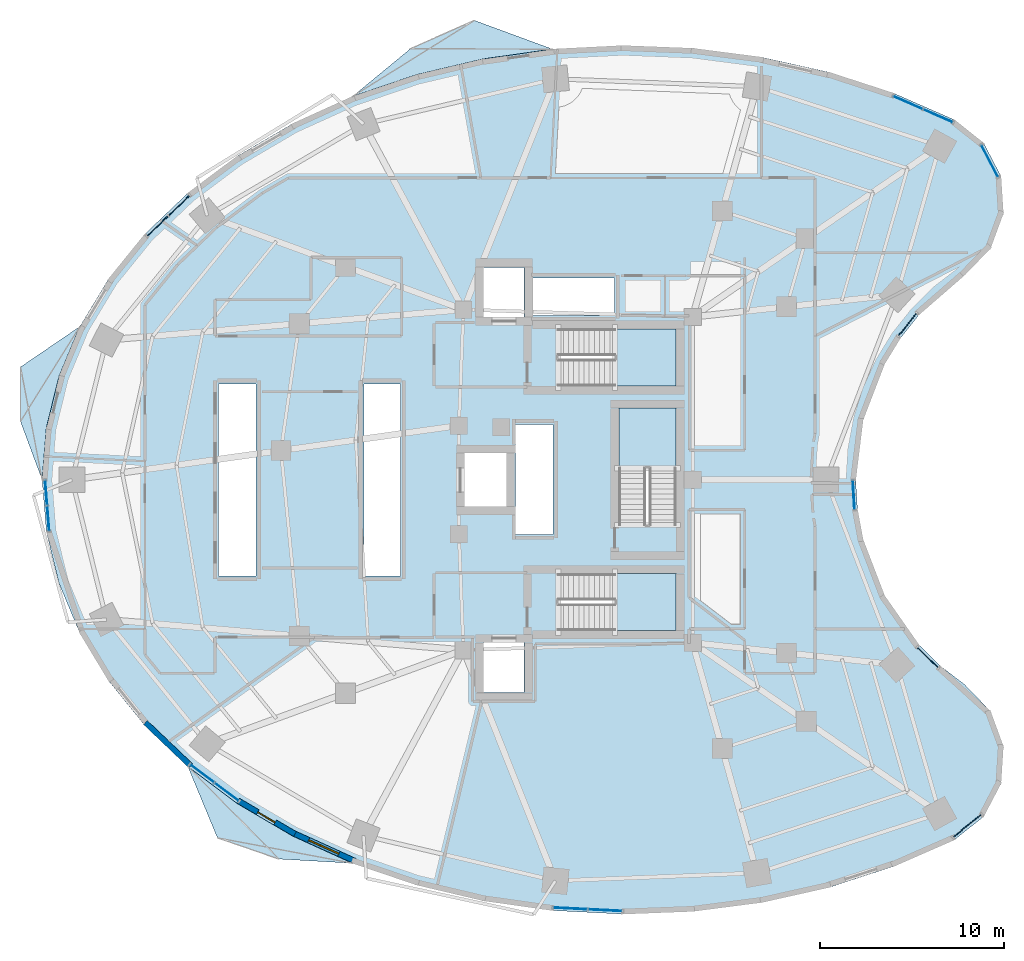
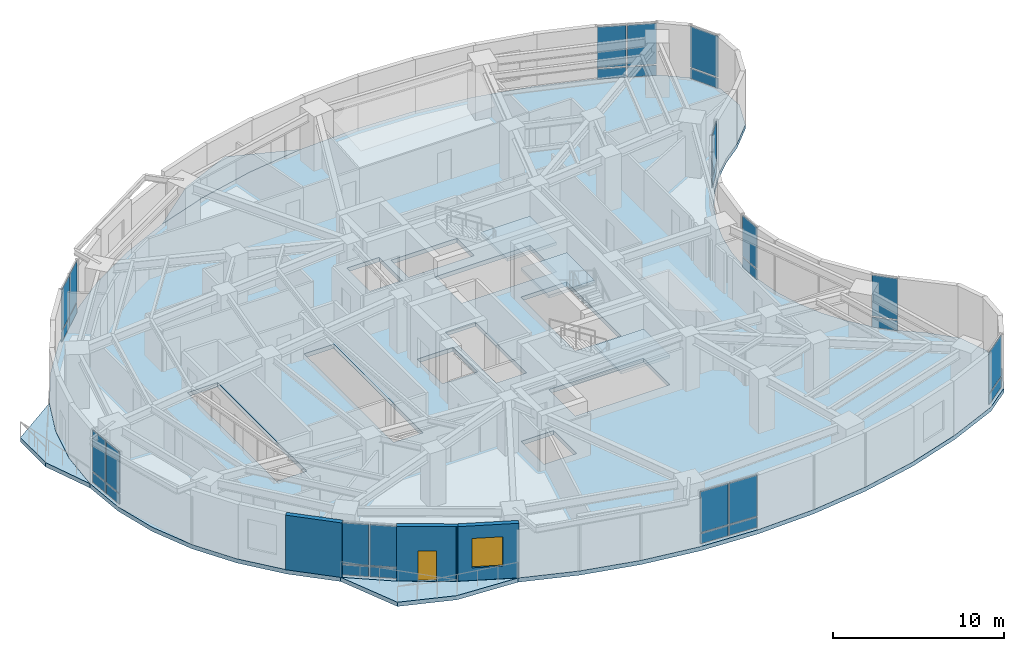
# One storey, part 7 of 15: 30 plates, 7 slabs, 3 walls, 1 door, 1 window, 2 openings, 13 elements without a shape of their own.
"""IFC4 building model written with IfcOpenShell, lengths in metres."""

from ifc_helpers import new_model, si_unit, direction, frame, frame_2d, origin, origin_2d, place, context, subcontext, project, spatial, polyline, rectangle, outline, extrude, material, layer, layer_set, type_object, element, fill, aggregate, save


model = new_model("IFC4")

# Units and contexts
model_context = context("Model", 3, precision=1e-05, world=origin(), true_north=direction((0.0, 1.0)))
body_context = subcontext(model_context, "Body", "Model", "MODEL_VIEW")
ifc_project = project(units=[si_unit("LENGTHUNIT", "METRE"), si_unit("AREAUNIT", "SQUARE_METRE"), si_unit("VOLUMEUNIT", "CUBIC_METRE"), si_unit("PLANEANGLEUNIT", "RADIAN"), si_unit("MASSUNIT", "GRAM", prefix="KILO")], contexts=[model_context])

# Site, building, storey
site_placement = place(None, origin())
site = spatial("IfcSite", under=ifc_project, at=site_placement, CompositionType="ELEMENT")
building_placement = place(site_placement, origin())
building = spatial("IfcBuilding", under=site, at=building_placement, Name="Korentha Bioscience Tower", CompositionType="ELEMENT")
storey_placement = place(building_placement, frame((0.0, 0.0, 34.199951171875)))
storey = spatial("IfcBuildingStorey", under=building, at=storey_placement, Name="L07", CompositionType="ELEMENT", Elevation=34.199951171875)

# Curtain wall, plates
ifc_material_1 = material(Name="Thermally Broken Aluminium Frame", Category="aluminium")
ifc_layer_1 = layer(ifc_material_1, 0.219970703125, Name="Thermally Broken Aluminium Frame")
ifc_layer_set_1 = layer_set([ifc_layer_1], Name="Thermally Broken Aluminium Frame (CW-T1)")
curtain_wall_type = type_object("IfcCurtainWallType", Name="Standard Bioscience Lab Unitised Curtain Wall CW-T1", PredefinedType="USERDEFINED", material=ifc_layer_set_1)
curtain_wall_1_placement = place(storey_placement, origin())
curtain_wall_1 = element("IfcCurtainWall", 1, at=curtain_wall_1_placement, inside=storey, type_object=curtain_wall_type, Name="L07 Curtain Wall 01", ObjectType="UNITISED", PredefinedType="USERDEFINED")
ifc_material_2 = material(Name="Triple-Glazed Low-E Insulated Glass", Category="glass")
ifc_layer_2 = layer(ifc_material_2, 0.0439453125, Name="Triple-Glazed Low-E Insulated Glass")
ifc_layer_set_2 = layer_set([ifc_layer_2], Name="Triple-Glazed Low-E Insulated Glass (GL-44)")
plate_type = type_object("IfcPlateType", Name="Glazed Panel 44mm", PredefinedType="CURTAIN_PANEL", material=ifc_layer_set_2)
plate_1_placement = place(storey_placement, frame((50.893310546875, 46.780029296875, 0.08984375), z_axis=(0.0, 0.0, 1.0), x_axis=(-0.91593909057, 0.401317308828, 0.0)))
plate_1 = element("IfcPlate", 2, at=plate_1_placement, type_object=plate_type, Name="CW-L07-01 Bay 1 Glazed Panel 1", PredefinedType="CURTAIN_PANEL", context=body_context, shape_type="SweptSolid", body=[
    extrude(rectangle(XDim=1.701171875, YDim=0.0439453125, at=origin_2d()), origin(), (0.0, 0.0, 1.0), 0.715087890625),
])
plate_2_placement = place(storey_placement, frame((50.893310546875, 46.780029296875, 0.89501953125), z_axis=(0.0, 0.0, 1.0), x_axis=(-0.91593909057, 0.401317308828, 0.0)))
plate_2 = element("IfcPlate", 3, at=plate_2_placement, type_object=plate_type, Name="CW-L07-01 Bay 1 Glazed Panel 2", PredefinedType="CURTAIN_PANEL", context=body_context, shape_type="SweptSolid", body=[
    extrude(rectangle(XDim=1.701171875, YDim=0.0439453125, at=origin_2d()), origin(), (0.0, 0.0, 1.0), 2.9150390625),
])
plate_3_placement = place(storey_placement, frame((49.25244140625, 47.498779296875, 0.08984375), z_axis=(0.0, 0.0, 1.0), x_axis=(-0.91593909057, 0.401317308828, 0.0)))
plate_3 = element("IfcPlate", 4, at=plate_3_placement, type_object=plate_type, Name="CW-L07-01 Bay 2 Glazed Panel 1", PredefinedType="CURTAIN_PANEL", context=body_context, shape_type="SweptSolid", body=[
    extrude(rectangle(XDim=1.701171875, YDim=0.0439453125, at=origin_2d()), origin(), (0.0, 0.0, 1.0), 0.715087890625),
])
plate_4_placement = place(storey_placement, frame((49.25244140625, 47.498779296875, 0.89501953125), z_axis=(0.0, 0.0, 1.0), x_axis=(-0.91593909057, 0.401317308828, 0.0)))
plate_4 = element("IfcPlate", 5, at=plate_4_placement, type_object=plate_type, Name="CW-L07-01 Bay 2 Glazed Panel 2", PredefinedType="CURTAIN_PANEL", context=body_context, shape_type="SweptSolid", body=[
    extrude(rectangle(XDim=1.701171875, YDim=0.0439453125, at=origin_2d()), origin(), (0.0, 0.0, 1.0), 2.9150390625),
])
aggregate(curtain_wall_1, [plate_1, plate_2, plate_3, plate_4])

curtain_wall_2_placement = place(storey_placement, origin())
curtain_wall_2 = element("IfcCurtainWall", 6, at=curtain_wall_2_placement, inside=storey, type_object=curtain_wall_type, Name="L07 Curtain Wall 13", ObjectType="UNITISED", PredefinedType="USERDEFINED")
plate_5_placement = place(storey_placement, frame((9.643798828125, 41.9091796875, 0.08984375), z_axis=(0.0, 0.0, 1.0), x_axis=(-0.723641761581, -0.690175775361, 0.0)))
plate_5 = element("IfcPlate", 7, at=plate_5_placement, type_object=plate_type, Name="CW-L07-13 Bay 1 Glazed Panel 1", PredefinedType="CURTAIN_PANEL", context=body_context, shape_type="SweptSolid", body=[
    extrude(rectangle(XDim=1.5263671875, YDim=0.0439453125, at=origin_2d()), origin(), (0.0, 0.0, 1.0), 0.715087890625),
])
plate_6_placement = place(storey_placement, frame((9.643798828125, 41.9091796875, 0.89501953125), z_axis=(0.0, 0.0, 1.0), x_axis=(-0.723641761581, -0.690175775361, 0.0)))
plate_6 = element("IfcPlate", 8, at=plate_6_placement, type_object=plate_type, Name="CW-L07-13 Bay 1 Glazed Panel 2", PredefinedType="CURTAIN_PANEL", context=body_context, shape_type="SweptSolid", body=[
    extrude(rectangle(XDim=1.5263671875, YDim=0.0439453125, at=origin_2d()), origin(), (0.0, 0.0, 1.0), 2.9150390625),
])
plate_7_placement = place(storey_placement, frame((8.47412109375, 40.793701171875, 0.08984375), z_axis=(0.0, 0.0, 1.0), x_axis=(-0.723641761581, -0.690175775361, 0.0)))
plate_7 = element("IfcPlate", 9, at=plate_7_placement, type_object=plate_type, Name="CW-L07-13 Bay 2 Glazed Panel 1", PredefinedType="CURTAIN_PANEL", context=body_context, shape_type="SweptSolid", body=[
    extrude(rectangle(XDim=1.5263671875, YDim=0.0439453125, at=origin_2d()), origin(), (0.0, 0.0, 1.0), 0.715087890625),
])
plate_8_placement = place(storey_placement, frame((8.47412109375, 40.793701171875, 0.89501953125), z_axis=(0.0, 0.0, 1.0), x_axis=(-0.723641761581, -0.690175775361, 0.0)))
plate_8 = element("IfcPlate", 10, at=plate_8_placement, type_object=plate_type, Name="CW-L07-13 Bay 2 Glazed Panel 2", PredefinedType="CURTAIN_PANEL", context=body_context, shape_type="SweptSolid", body=[
    extrude(rectangle(XDim=1.5263671875, YDim=0.0439453125, at=origin_2d()), origin(), (0.0, 0.0, 1.0), 2.9150390625),
])
aggregate(curtain_wall_2, [plate_5, plate_6, plate_7, plate_8])

curtain_wall_3_placement = place(storey_placement, origin())
curtain_wall_3 = element("IfcCurtainWall", 11, at=curtain_wall_3_placement, inside=storey, type_object=curtain_wall_type, Name="L07 Curtain Wall 19", ObjectType="UNITISED", PredefinedType="USERDEFINED")
plate_9_placement = place(storey_placement, frame((2.4169921875, 26.302734375, 0.08984375), z_axis=(0.0, 0.0, 1.0), x_axis=(0.080820466375, -0.996728675325, 0.0)))
plate_9 = element("IfcPlate", 12, at=plate_9_placement, type_object=plate_type, Name="CW-L07-19 Bay 1 Glazed Panel 1", PredefinedType="CURTAIN_PANEL", context=body_context, shape_type="SweptSolid", body=[
    extrude(rectangle(XDim=1.324951171875, YDim=0.0439453125, at=origin_2d()), origin(), (0.0, 0.0, 1.0), 0.715087890625),
])
plate_10_placement = place(storey_placement, frame((2.4169921875, 26.302734375, 0.89501953125), z_axis=(0.0, 0.0, 1.0), x_axis=(0.080820466375, -0.996728675325, 0.0)))
plate_10 = element("IfcPlate", 13, at=plate_10_placement, type_object=plate_type, Name="CW-L07-19 Bay 1 Glazed Panel 2", PredefinedType="CURTAIN_PANEL", context=body_context, shape_type="SweptSolid", body=[
    extrude(rectangle(XDim=1.324951171875, YDim=0.0439453125, at=origin_2d()), origin(), (0.0, 0.0, 1.0), 2.9150390625),
])
plate_11_placement = place(storey_placement, frame((2.531494140625, 24.892333984375, 0.08984375), z_axis=(0.0, 0.0, 1.0), x_axis=(0.080820466375, -0.996728675325, 0.0)))
plate_11 = element("IfcPlate", 14, at=plate_11_placement, type_object=plate_type, Name="CW-L07-19 Bay 2 Glazed Panel 1", PredefinedType="CURTAIN_PANEL", context=body_context, shape_type="SweptSolid", body=[
    extrude(rectangle(XDim=1.324951171875, YDim=0.0439453125, at=origin_2d()), origin(), (0.0, 0.0, 1.0), 0.715087890625),
])
plate_12_placement = place(storey_placement, frame((2.531494140625, 24.892333984375, 0.89501953125), z_axis=(0.0, 0.0, 1.0), x_axis=(0.080820466375, -0.996728675325, 0.0)))
plate_12 = element("IfcPlate", 15, at=plate_12_placement, type_object=plate_type, Name="CW-L07-19 Bay 2 Glazed Panel 2", PredefinedType="CURTAIN_PANEL", context=body_context, shape_type="SweptSolid", body=[
    extrude(rectangle(XDim=1.324951171875, YDim=0.0439453125, at=origin_2d()), origin(), (0.0, 0.0, 1.0), 2.9150390625),
])
aggregate(curtain_wall_3, [plate_9, plate_10, plate_11, plate_12])

curtain_wall_4_placement = place(storey_placement, origin())
curtain_wall_4 = element("IfcCurtainWall", 16, at=curtain_wall_4_placement, inside=storey, type_object=curtain_wall_type, Name="L07 Curtain Wall 25", ObjectType="UNITISED", PredefinedType="USERDEFINED")
plate_13_placement = place(storey_placement, frame((10.892578125, 11.037109375, 0.08984375), z_axis=(0.0, 0.0, 1.0), x_axis=(0.800797909614, -0.598934644145, 0.0)))
plate_13 = element("IfcPlate", 17, at=plate_13_placement, type_object=plate_type, Name="CW-L07-25 Bay 1 Glazed Panel 1", PredefinedType="CURTAIN_PANEL", context=body_context, shape_type="SweptSolid", body=[
    extrude(rectangle(XDim=1.58544921875, YDim=0.0439453125, at=origin_2d()), origin(), (0.0, 0.0, 1.0), 0.715087890625),
])
plate_14_placement = place(storey_placement, frame((10.892578125, 11.037109375, 0.89501953125), z_axis=(0.0, 0.0, 1.0), x_axis=(0.800797909614, -0.598934644145, 0.0)))
plate_14 = element("IfcPlate", 18, at=plate_14_placement, type_object=plate_type, Name="CW-L07-25 Bay 1 Glazed Panel 2", PredefinedType="CURTAIN_PANEL", context=body_context, shape_type="SweptSolid", body=[
    extrude(rectangle(XDim=1.58544921875, YDim=0.0439453125, at=origin_2d()), origin(), (0.0, 0.0, 1.0), 2.9150390625),
])
plate_15_placement = place(storey_placement, frame((12.234375, 10.033447265625, 0.08984375), z_axis=(0.0, 0.0, 1.0), x_axis=(0.800797909614, -0.598934644145, 0.0)))
plate_15 = element("IfcPlate", 19, at=plate_15_placement, type_object=plate_type, Name="CW-L07-25 Bay 2 Glazed Panel 1", PredefinedType="CURTAIN_PANEL", context=body_context, shape_type="SweptSolid", body=[
    extrude(rectangle(XDim=1.58544921875, YDim=0.0439453125, at=origin_2d()), origin(), (0.0, 0.0, 1.0), 0.715087890625),
])
plate_16_placement = place(storey_placement, frame((12.234375, 10.033447265625, 0.89501953125), z_axis=(0.0, 0.0, 1.0), x_axis=(0.800797909614, -0.598934644145, 0.0)))
plate_16 = element("IfcPlate", 20, at=plate_16_placement, type_object=plate_type, Name="CW-L07-25 Bay 2 Glazed Panel 2", PredefinedType="CURTAIN_PANEL", context=body_context, shape_type="SweptSolid", body=[
    extrude(rectangle(XDim=1.58544921875, YDim=0.0439453125, at=origin_2d()), origin(), (0.0, 0.0, 1.0), 2.9150390625),
])
aggregate(curtain_wall_4, [plate_13, plate_14, plate_15, plate_16])

curtain_wall_5_placement = place(storey_placement, origin())
curtain_wall_5 = element("IfcCurtainWall", 21, at=curtain_wall_5_placement, inside=storey, type_object=curtain_wall_type, Name="L07 Curtain Wall 31", ObjectType="UNITISED", PredefinedType="USERDEFINED")
plate_17_placement = place(storey_placement, frame((30.90478515625, 3.70458984375, 0.08984375), z_axis=(0.0, 0.0, 1.0), x_axis=(0.998730551641, -0.050371472279, 0.0)))
plate_17 = element("IfcPlate", 22, at=plate_17_placement, type_object=plate_type, Name="CW-L07-31 Bay 1 Glazed Panel 1", PredefinedType="CURTAIN_PANEL", context=body_context, shape_type="SweptSolid", body=[
    extrude(rectangle(XDim=1.8134765625, YDim=0.0439453125, at=origin_2d()), origin(), (0.0, 0.0, 1.0), 0.715087890625),
])
plate_18_placement = place(storey_placement, frame((30.90478515625, 3.70458984375, 0.89501953125), z_axis=(0.0, 0.0, 1.0), x_axis=(0.998730551641, -0.050371472279, 0.0)))
plate_18 = element("IfcPlate", 23, at=plate_18_placement, type_object=plate_type, Name="CW-L07-31 Bay 1 Glazed Panel 2", PredefinedType="CURTAIN_PANEL", context=body_context, shape_type="SweptSolid", body=[
    extrude(rectangle(XDim=1.8134765625, YDim=0.0439453125, at=origin_2d()), origin(), (0.0, 0.0, 1.0), 2.9150390625),
])
plate_19_placement = place(storey_placement, frame((32.805908203125, 3.608642578125, 0.08984375), z_axis=(0.0, 0.0, 1.0), x_axis=(0.998730551641, -0.050371472279, 0.0)))
plate_19 = element("IfcPlate", 24, at=plate_19_placement, type_object=plate_type, Name="CW-L07-31 Bay 2 Glazed Panel 1", PredefinedType="CURTAIN_PANEL", context=body_context, shape_type="SweptSolid", body=[
    extrude(rectangle(XDim=1.8134765625, YDim=0.0439453125, at=origin_2d()), origin(), (0.0, 0.0, 1.0), 0.715087890625),
])
plate_20_placement = place(storey_placement, frame((32.805908203125, 3.608642578125, 0.89501953125), z_axis=(0.0, 0.0, 1.0), x_axis=(0.998730551641, -0.050371472279, 0.0)))
plate_20 = element("IfcPlate", 25, at=plate_20_placement, type_object=plate_type, Name="CW-L07-31 Bay 2 Glazed Panel 2", PredefinedType="CURTAIN_PANEL", context=body_context, shape_type="SweptSolid", body=[
    extrude(rectangle(XDim=1.8134765625, YDim=0.0439453125, at=origin_2d()), origin(), (0.0, 0.0, 1.0), 2.9150390625),
])
aggregate(curtain_wall_5, [plate_17, plate_18, plate_19, plate_20])

curtain_wall_6_placement = place(storey_placement, origin())
curtain_wall_6 = element("IfcCurtainWall", 26, at=curtain_wall_6_placement, inside=storey, type_object=curtain_wall_type, Name="L07 Curtain Wall 37", ObjectType="UNITISED", PredefinedType="USERDEFINED")
plate_21_placement = place(storey_placement, frame((52.4755859375, 8.19140625, 0.08984375), z_axis=(0.0, 0.0, 1.0), x_axis=(0.782287851332, 0.62291710336, 0.0)))
plate_21 = element("IfcPlate", 27, at=plate_21_placement, type_object=plate_type, Name="CW-L07-37 Bay 1 Glazed Panel 1", PredefinedType="CURTAIN_PANEL", context=body_context, shape_type="SweptSolid", body=[
    extrude(rectangle(XDim=1.927734375, YDim=0.0439453125, at=origin_2d()), origin(), (0.0, 0.0, 1.0), 0.715087890625),
])
plate_22_placement = place(storey_placement, frame((52.4755859375, 8.19140625, 0.89501953125), z_axis=(0.0, 0.0, 1.0), x_axis=(0.782287851332, 0.62291710336, 0.0)))
plate_22 = element("IfcPlate", 28, at=plate_22_placement, type_object=plate_type, Name="CW-L07-37 Bay 1 Glazed Panel 2", PredefinedType="CURTAIN_PANEL", context=body_context, shape_type="SweptSolid", body=[
    extrude(rectangle(XDim=1.927734375, YDim=0.0439453125, at=origin_2d()), origin(), (0.0, 0.0, 1.0), 2.9150390625),
])
aggregate(curtain_wall_6, [plate_21, plate_22])

curtain_wall_7_placement = place(storey_placement, origin())
curtain_wall_7 = element("IfcCurtainWall", 29, at=curtain_wall_7_placement, inside=storey, type_object=curtain_wall_type, Name="L07 Curtain Wall 43", ObjectType="UNITISED", PredefinedType="USERDEFINED")
plate_23_placement = place(storey_placement, frame((50.333251953125, 17.335693359375, 0.08984375), z_axis=(0.0, 0.0, 1.0), x_axis=(-0.713279246754, 0.700879958445, 0.0)))
plate_23 = element("IfcPlate", 30, at=plate_23_placement, type_object=plate_type, Name="CW-L07-43 Bay 1 Glazed Panel 1", PredefinedType="CURTAIN_PANEL", context=body_context, shape_type="SweptSolid", body=[
    extrude(rectangle(XDim=1.537841796875, YDim=0.0439453125, at=origin_2d()), origin(), (0.0, 0.0, 1.0), 0.715087890625),
])
plate_24_placement = place(storey_placement, frame((50.333251953125, 17.335693359375, 0.89501953125), z_axis=(0.0, 0.0, 1.0), x_axis=(-0.713279246754, 0.700879958445, 0.0)))
plate_24 = element("IfcPlate", 31, at=plate_24_placement, type_object=plate_type, Name="CW-L07-43 Bay 1 Glazed Panel 2", PredefinedType="CURTAIN_PANEL", context=body_context, shape_type="SweptSolid", body=[
    extrude(rectangle(XDim=1.537841796875, YDim=0.0439453125, at=origin_2d()), origin(), (0.0, 0.0, 1.0), 2.9150390625),
])
aggregate(curtain_wall_7, [plate_23, plate_24])

curtain_wall_8_placement = place(storey_placement, origin())
curtain_wall_8 = element("IfcCurtainWall", 32, at=curtain_wall_8_placement, inside=storey, type_object=curtain_wall_type, Name="L07 Curtain Wall 49", ObjectType="UNITISED", PredefinedType="USERDEFINED")
plate_25_placement = place(storey_placement, frame((46.305908203125, 26.1728515625, 0.08984375), z_axis=(0.0, 0.0, 1.0), x_axis=(-0.061008272998, 0.998137260413, 0.0)))
plate_25 = element("IfcPlate", 33, at=plate_25_placement, type_object=plate_type, Name="CW-L07-49 Bay 1 Glazed Panel 1", PredefinedType="CURTAIN_PANEL", context=body_context, shape_type="SweptSolid", body=[
    extrude(rectangle(XDim=1.537841796875, YDim=0.0439453125, at=origin_2d()), origin(), (0.0, 0.0, 1.0), 0.715087890625),
])
plate_26_placement = place(storey_placement, frame((46.305908203125, 26.1728515625, 0.89501953125), z_axis=(0.0, 0.0, 1.0), x_axis=(-0.061008272998, 0.998137260413, 0.0)))
plate_26 = element("IfcPlate", 34, at=plate_26_placement, type_object=plate_type, Name="CW-L07-49 Bay 1 Glazed Panel 2", PredefinedType="CURTAIN_PANEL", context=body_context, shape_type="SweptSolid", body=[
    extrude(rectangle(XDim=1.537841796875, YDim=0.0439453125, at=origin_2d()), origin(), (0.0, 0.0, 1.0), 2.9150390625),
])
aggregate(curtain_wall_8, [plate_25, plate_26])

curtain_wall_9_placement = place(storey_placement, origin())
curtain_wall_9 = element("IfcCurtainWall", 35, at=curtain_wall_9_placement, inside=storey, type_object=curtain_wall_type, Name="L07 Curtain Wall 55", ObjectType="UNITISED", PredefinedType="USERDEFINED")
plate_27_placement = place(storey_placement, frame((49.226318359375, 35.434814453125, 0.08984375), z_axis=(0.0, 0.0, 1.0), x_axis=(0.622520324648, 0.782603632371, 0.0)))
plate_27 = element("IfcPlate", 36, at=plate_27_placement, type_object=plate_type, Name="CW-L07-55 Bay 1 Glazed Panel 1", PredefinedType="CURTAIN_PANEL", context=body_context, shape_type="SweptSolid", body=[
    extrude(rectangle(XDim=1.537841796875, YDim=0.0439453125, at=origin_2d()), origin(), (0.0, 0.0, 1.0), 0.715087890625),
])
plate_28_placement = place(storey_placement, frame((49.226318359375, 35.434814453125, 0.89501953125), z_axis=(0.0, 0.0, 1.0), x_axis=(0.622520324648, 0.782603632371, 0.0)))
plate_28 = element("IfcPlate", 37, at=plate_28_placement, type_object=plate_type, Name="CW-L07-55 Bay 1 Glazed Panel 2", PredefinedType="CURTAIN_PANEL", context=body_context, shape_type="SweptSolid", body=[
    extrude(rectangle(XDim=1.537841796875, YDim=0.0439453125, at=origin_2d()), origin(), (0.0, 0.0, 1.0), 2.9150390625),
])
aggregate(curtain_wall_9, [plate_27, plate_28])

curtain_wall_10_placement = place(storey_placement, origin())
curtain_wall_10 = element("IfcCurtainWall", 38, at=curtain_wall_10_placement, inside=storey, type_object=curtain_wall_type, Name="L07 Curtain Wall 61", ObjectType="UNITISED", PredefinedType="USERDEFINED")
plate_29_placement = place(storey_placement, frame((53.6962890625, 44.32958984375, 0.08984375), z_axis=(0.0, 0.0, 1.0), x_axis=(-0.463008597697, 0.886353788539, 0.0)))
plate_29 = element("IfcPlate", 39, at=plate_29_placement, type_object=plate_type, Name="CW-L07-61 Bay 1 Glazed Panel 1", PredefinedType="CURTAIN_PANEL", context=body_context, shape_type="SweptSolid", body=[
    extrude(rectangle(XDim=1.927734375, YDim=0.0439453125, at=origin_2d()), origin(), (0.0, 0.0, 1.0), 0.715087890625),
])
plate_30_placement = place(storey_placement, frame((53.6962890625, 44.32958984375, 0.89501953125), z_axis=(0.0, 0.0, 1.0), x_axis=(-0.463008597697, 0.886353788539, 0.0)))
plate_30 = element("IfcPlate", 40, at=plate_30_placement, type_object=plate_type, Name="CW-L07-61 Bay 1 Glazed Panel 2", PredefinedType="CURTAIN_PANEL", context=body_context, shape_type="SweptSolid", body=[
    extrude(rectangle(XDim=1.927734375, YDim=0.0439453125, at=origin_2d()), origin(), (0.0, 0.0, 1.0), 2.9150390625),
])
aggregate(curtain_wall_10, [plate_29, plate_30])

# Slab
ifc_material_3 = material(Name="Concrete C50", Category="concrete")
ifc_layer_3 = layer(ifc_material_3, 0.300048828125, Name="Concrete C50")
ifc_layer_set_3 = layer_set([ifc_layer_3], Name="Concrete C50 (SL-L300)")
slab_type_1 = type_object("IfcSlabType", Name="Laboratory Vibration-Controlled Slab 300", PredefinedType="FLOOR", material=ifc_layer_set_3)
slab_1_placement = place(storey_placement, frame((0.0, 0.0, -0.300048828125)))
element("IfcSlab", 41, at=slab_1_placement, inside=storey, type_object=slab_type_1, Name="L07 Tower Structural Floor Slab", PredefinedType="FLOOR", context=body_context, shape_type="SweptSolid", body=[
    extrude(outline(polyline([(51.7822265625, 46.565185546875), (48.49169921875, 48.0068359375), (44.9921875, 49.145263671875), (41.33349609375, 49.9638671875), (37.569091796875, 50.450927734375), (33.75341796875, 50.599365234375), (29.94091796875, 50.406982421875), (26.187255859375, 49.876708984375), (22.54638671875, 49.01611328125), (19.07080078125, 47.837646484375), (15.810791015625, 46.358154296875), (12.8134765625, 44.599365234375), (10.1220703125, 42.58642578125), (7.775390625, 40.348388671875), (5.807373046875, 37.91748046875), (4.246337890625, 35.3291015625), (3.114990234375, 32.62060546875), (2.4296875, 29.830810546875), (2.199951171875, 27.0), (2.4296875, 24.169189453125), (3.114990234375, 21.37939453125), (4.246337890625, 18.6708984375), (5.807373046875, 16.08251953125), (7.775390625, 13.651611328125), (10.1220703125, 11.41357421875), (12.8134765625, 9.400634765625), (15.810791015625, 7.641845703125), (19.07080078125, 6.162353515625), (22.54638671875, 4.98388671875), (26.187255859375, 4.123291015625), (29.94091796875, 3.593017578125), (33.75341796875, 3.400634765625), (37.569091796875, 3.549072265625), (41.33349609375, 4.0361328125), (44.9921875, 4.854736328125), (48.49169921875, 5.9931640625), (51.7822265625, 7.434814453125), (53.368408203125, 8.69775390625), (54.307373046875, 10.4951171875), (54.4384765625, 12.518310546875), (53.739013671875, 14.421630859375), (52.3291015625, 15.878662109375), (51.029541015625, 16.875732421875), (49.861328125, 18.023681640625), (48.841796875, 19.3056640625), (47.98583984375, 20.7021484375), (47.306640625, 22.192626953125), (46.814208984375, 23.754638671875), (46.515625, 25.365234375), (46.415771484375, 27.0), (46.515625, 28.634765625), (46.814208984375, 30.245361328125), (47.306640625, 31.807373046875), (47.98583984375, 33.2978515625), (48.841796875, 34.6943359375), (49.861328125, 35.976318359375), (51.029541015625, 37.124267578125), (52.3291015625, 38.121337890625), (53.739013671875, 39.578369140625), (54.4384765625, 41.481689453125), (54.307373046875, 43.5048828125), (53.368408203125, 45.30224609375), (51.7822265625, 46.565185546875)]), holes=[polyline([(30.25, 32.10009765625), (36.64990234375, 32.10009765625), (36.64990234375, 35.199951171875), (30.25, 35.199951171875), (30.25, 32.10009765625)]), polyline([(30.25, 18.800048828125), (36.64990234375, 18.800048828125), (36.64990234375, 21.89990234375), (30.25, 21.89990234375), (30.25, 18.800048828125)]), polyline([(36.64990234375, 24.550048828125), (36.64990234375, 30.89990234375), (33.550048828125, 30.89990234375), (33.550048828125, 24.550048828125), (36.64990234375, 24.550048828125)]), polyline([(11.780029296875, 21.780029296875), (13.820068359375, 21.780029296875), (13.820068359375, 32.219970703125), (11.780029296875, 32.219970703125), (11.780029296875, 21.780029296875)]), polyline([(19.679931640625, 21.780029296875), (21.669921875, 21.780029296875), (21.669921875, 32.219970703125), (19.679931640625, 32.219970703125), (19.679931640625, 21.780029296875)]), polyline([(27.929931640625, 24.030029296875), (29.969970703125, 24.030029296875), (29.969970703125, 30.02001953125), (27.929931640625, 30.02001953125), (27.929931640625, 24.030029296875)]), polyline([(28.860107421875, 35.93994140625), (33.31005859375, 35.93994140625), (33.31005859375, 37.9599609375), (28.860107421875, 37.9599609375), (28.860107421875, 35.93994140625)]), polyline([(26.199951171875, 15.449951171875), (28.39990234375, 15.449951171875), (28.39990234375, 18.14990234375), (26.199951171875, 18.14990234375), (26.199951171875, 15.449951171875)]), polyline([(26.199951171875, 35.85009765625), (28.39990234375, 35.85009765625), (28.39990234375, 38.550048828125), (26.199951171875, 38.550048828125), (26.199951171875, 35.85009765625)]), polyline([(25.14990234375, 25.550048828125), (27.550048828125, 25.550048828125), (27.550048828125, 28.449951171875), (25.14990234375, 28.449951171875), (25.14990234375, 25.550048828125)])]), origin(), (0.0, 0.0, 1.0), 0.300048828125),
])

# Stair, slab
ifc_material_4 = material(Name="Precast Concrete C50", Category="concrete")
stair_type = type_object("IfcStairType", Name="Core Exit Dog-Leg Stair 1450", PredefinedType="HALF_TURN_STAIR", material=ifc_material_4)
stair_1_placement = place(storey_placement, origin())
stair_1 = element("IfcStair", 42, at=stair_1_placement, inside=storey, type_object=stair_type, Name="L07 Tower North Pressurized Exit Stair ST-1", PredefinedType="HALF_TURN_STAIR")
ifc_layer_4 = layer(ifc_material_3, 0.199951171875, Name="Concrete C50")
ifc_layer_set_4 = layer_set([ifc_layer_4], Name="Concrete C50 (SL-LND)")
slab_type_2 = type_object("IfcSlabType", Name="Landing Slab 200", PredefinedType="LANDING", material=ifc_layer_set_4)
slab_2_placement = place(storey_placement, frame((0.0, 0.0, 1.900146484375)))
slab_2 = element("IfcSlab", 43, at=slab_2_placement, type_object=slab_type_2, Name="ST-1 landing 1", PredefinedType="LANDING", context=body_context, shape_type="SweptSolid", body=[
    extrude(outline(polyline([(33.330078125, 32.10009765625), (36.64990234375, 32.10009765625), (36.64990234375, 35.199951171875), (33.330078125, 35.199951171875), (33.330078125, 32.10009765625)])), origin(), (0.0, 0.0, 1.0), 0.199951171875),
])
aggregate(stair_1, [slab_2])

stair_2_placement = place(storey_placement, origin())
stair_2 = element("IfcStair", 44, at=stair_2_placement, inside=storey, type_object=stair_type, Name="L07 Tower South Pressurized Exit Stair ST-2", PredefinedType="HALF_TURN_STAIR")
slab_3_placement = place(storey_placement, frame((0.0, 0.0, 1.900146484375)))
slab_3 = element("IfcSlab", 45, at=slab_3_placement, type_object=slab_type_2, Name="ST-2 landing 1", PredefinedType="LANDING", context=body_context, shape_type="SweptSolid", body=[
    extrude(outline(polyline([(33.330078125, 18.800048828125), (36.64990234375, 18.800048828125), (36.64990234375, 21.89990234375), (33.330078125, 21.89990234375), (33.330078125, 18.800048828125)])), origin(), (0.0, 0.0, 1.0), 0.199951171875),
])
aggregate(stair_2, [slab_3])

stair_3_placement = place(storey_placement, origin())
stair_3 = element("IfcStair", 46, at=stair_3_placement, inside=storey, type_object=stair_type, Name="L07 Tower Central Pressurized Exit Stair ST-3", PredefinedType="HALF_TURN_STAIR")
slab_4_placement = place(storey_placement, frame((0.0, 0.0, 1.900146484375)))
slab_4 = element("IfcSlab", 47, at=slab_4_placement, type_object=slab_type_2, Name="ST-3 landing 1", PredefinedType="LANDING", context=body_context, shape_type="SweptSolid", body=[
    extrude(outline(polyline([(36.64990234375, 27.6298828125), (36.64990234375, 30.89990234375), (33.550048828125, 30.89990234375), (33.550048828125, 27.6298828125), (36.64990234375, 27.6298828125)])), origin(), (0.0, 0.0, 1.0), 0.199951171875),
])
aggregate(stair_3, [slab_4])

# Slabs
ifc_layer_5 = layer(ifc_material_3, 0.300048828125, Name="Concrete C50")
ifc_layer_set_5 = layer_set([ifc_layer_5], Name="Concrete C50 (BS-240)")
slab_type_3 = type_object("IfcSlabType", Name="Sawtooth Sun-Ledge Balcony Slab 240", PredefinedType="USERDEFINED", material=ifc_layer_set_5)
slab_5_placement = place(storey_placement, frame((0.0, 0.0, -0.300048828125)))
element("IfcSlab", 48, at=slab_5_placement, inside=storey, type_object=slab_type_3, Name="L07 Sun-Ledge Balcony 01", ObjectType="BALCONY", PredefinedType="USERDEFINED", context=body_context, shape_type="SweptSolid", body=[
    extrude(outline(polyline([(19.07080078125, 47.837646484375), (22.54638671875, 49.01611328125), (26.187255859375, 49.876708984375), (29.94091796875, 50.406982421875), (25.692626953125, 51.968994140625), (22.212890625, 50.42724609375), (19.07080078125, 47.837646484375)])), origin(), (0.0, 0.0, 1.0), 0.300048828125),
])
slab_6_placement = place(storey_placement, frame((0.0, 0.0, -0.300048828125)))
element("IfcSlab", 49, at=slab_6_placement, inside=storey, type_object=slab_type_3, Name="L07 Sun-Ledge Balcony 02", ObjectType="BALCONY", PredefinedType="USERDEFINED", context=body_context, shape_type="SweptSolid", body=[
    extrude(outline(polyline([(2.199951171875, 27.0), (2.4296875, 29.830810546875), (3.114990234375, 32.62060546875), (4.246337890625, 35.3291015625), (1.027099609375, 33.133544921875), (1.021484375, 30.176513671875), (2.199951171875, 27.0)])), origin(), (0.0, 0.0, 1.0), 0.300048828125),
])
slab_7_placement = place(storey_placement, frame((0.0, 0.0, -0.300048828125)))
element("IfcSlab", 50, at=slab_7_placement, inside=storey, type_object=slab_type_3, Name="L07 Sun-Ledge Balcony 03", ObjectType="BALCONY", PredefinedType="USERDEFINED", context=body_context, shape_type="SweptSolid", body=[
    extrude(outline(polyline([(19.07080078125, 6.162353515625), (15.810791015625, 7.641845703125), (12.8134765625, 9.400634765625), (10.1220703125, 11.41357421875), (11.725341796875, 7.54638671875), (15.076904296875, 6.39111328125), (19.07080078125, 6.162353515625)])), origin(), (0.0, 0.0, 1.0), 0.300048828125),
])

# Wall, opening, door
ifc_material_5 = material(Name="Honed Limestone Precast Concrete C40", Category="masonry")
ifc_layer_6 = layer(ifc_material_5, 0.300048828125, Name="Honed Limestone Precast Concrete C40")
ifc_layer_set_6 = layer_set([ifc_layer_6], Name="Honed Limestone Precast Concrete C40 (EW-ST300)")
wall_type = type_object("IfcWallType", Name="Honed Limestone Cavity Spandrel Wall 300", PredefinedType="STANDARD", material=ifc_layer_set_6)
wall_1_placement = place(storey_placement, frame((12.8427734375, 9.569091796875, 0.0), z_axis=(0.0, 0.0, 1.0), x_axis=(0.862473134325, -0.506102847817, 0.0)))
wall_1 = element("IfcWall", 51, at=wall_1_placement, inside=storey, type_object=wall_type, Name="L07 Balcony Threshold Wall 03", PredefinedType="STANDARD", context=body_context, shape_type="SweptSolid", body=[
    extrude(rectangle(XDim=3.59521484375, YDim=0.300048828125, at=frame_2d((1.797607421875, 0.0))), origin(), (0.0, 0.0, 1.0), 3.900146484375),
])
opening_1_placement = place(wall_1_placement, frame((1.24755859375, 0.0, 0.0)))
opening_1 = element("IfcOpeningElement", 52, at=opening_1_placement, cuts=wall_1, Name="Opening BD-11L", PredefinedType="OPENING", context=body_context, shape_type="SweptSolid", body=[
    extrude(rectangle(XDim=1.10009765625, YDim=2.14990234375, at=frame_2d((0.550048828125, 1.074951171875))), frame((0.0, 0.1650390625, 0.0), z_axis=(0.0, -1.0, 0.0), x_axis=(1.0, 0.0, 0.0)), (0.0, 0.0, 1.0), 0.329833984375),
])
ifc_material_6 = material(Name="Thermally Broken Glazed Aluminium", Category="aluminium")
door_type = type_object("IfcDoorType", Name="Balcony Terrace Glazed Door 1100x2150 Left", OperationType="SINGLE_SWING_LEFT", PredefinedType="DOOR", material=ifc_material_6)
door_placement = place(opening_1_placement, origin())
door = element("IfcDoor", 53, at=door_placement, inside=storey, type_object=door_type, Name="L07 Balcony Access Door 03", OperationType="SINGLE_SWING_LEFT", OverallHeight=2.14990234375, OverallWidth=1.10009765625, PredefinedType="DOOR", context=body_context, shape_type="SweptSolid", body=[
    extrude(rectangle(XDim=1.10009765625, YDim=2.14990234375, at=frame_2d((0.550048828125, 1.074951171875))), frame((0.0, 0.02490234375, 0.0), z_axis=(0.0, -1.0, 0.0), x_axis=(1.0, 0.0, 0.0)), (0.0, 0.0, 1.0), 0.050048828125),
])
fill(opening_1, door)

# Wall, opening, window
wall_2_placement = place(storey_placement, frame((15.822265625, 7.812255859375, 0.0), z_axis=(0.0, 0.0, 1.0), x_axis=(0.910608120407, -0.413270917254, 0.0)))
wall_2 = element("IfcWall", 54, at=wall_2_placement, inside=storey, type_object=wall_type, Name="L07 Honed Limestone Spandrel Wall 27", PredefinedType="STANDARD", context=body_context, shape_type="SweptSolid", body=[
    extrude(rectangle(XDim=3.699951171875, YDim=0.300048828125, at=frame_2d((1.85009765625, 0.0))), origin(), (0.0, 0.0, 1.0), 3.900146484375),
])
opening_2_placement = place(wall_2_placement, frame((0.949951171875, 0.0, 0.89990234375)))
opening_2 = element("IfcOpeningElement", 55, at=opening_2_placement, cuts=wall_2, Name="Opening WN-01", PredefinedType="OPENING", context=body_context, shape_type="SweptSolid", body=[
    extrude(rectangle(XDim=1.800048828125, YDim=2.10009765625, at=frame_2d((0.89990234375, 1.050048828125))), frame((0.0, 0.1650390625, 0.0), z_axis=(0.0, -1.0, 0.0), x_axis=(1.0, 0.0, 0.0)), (0.0, 0.0, 1.0), 0.329833984375),
])
ifc_material_7 = material(Name="Thermally Broken Aluminium Triple Glazing", Category="aluminium")
window_type = type_object("IfcWindowType", Name="Triple-Glazed Fixed Bioscience Window 1800x2100", PartitioningType="SINGLE_PANEL", PredefinedType="WINDOW", material=ifc_material_7)
window_placement = place(opening_2_placement, origin())
window = element("IfcWindow", 56, at=window_placement, inside=storey, type_object=window_type, Name="L07 Facade Window 27", OverallHeight=2.10009765625, OverallWidth=1.800048828125, PartitioningType="SINGLE_PANEL", PredefinedType="WINDOW", context=body_context, shape_type="SweptSolid", body=[
    extrude(rectangle(XDim=1.800048828125, YDim=2.10009765625, at=frame_2d((0.89990234375, 1.050048828125))), frame((0.0, 0.030029296875, 0.0), z_axis=(0.0, -1.0, 0.0), x_axis=(1.0, 0.0, 0.0)), (0.0, 0.0, 1.0), 0.06005859375),
])
fill(opening_2, window)

# Wall
wall_3_placement = place(storey_placement, frame((7.81396484375, 13.80810546875, 0.0), z_axis=(0.0, 0.0, 1.0), x_axis=(0.72369587847, -0.69011902994, 0.0)))
element("IfcWall", 57, at=wall_3_placement, inside=storey, type_object=wall_type, Name="L07 Limestone Perimeter Closure Wall 24", PredefinedType="STANDARD", context=body_context, shape_type="SweptSolid", body=[
    extrude(rectangle(XDim=3.40283203125, YDim=0.300048828125, at=frame_2d((1.701416015625, 0.0))), origin(), (0.0, 0.0, 1.0), 3.900146484375),
])

save(model, "model.ifc")
